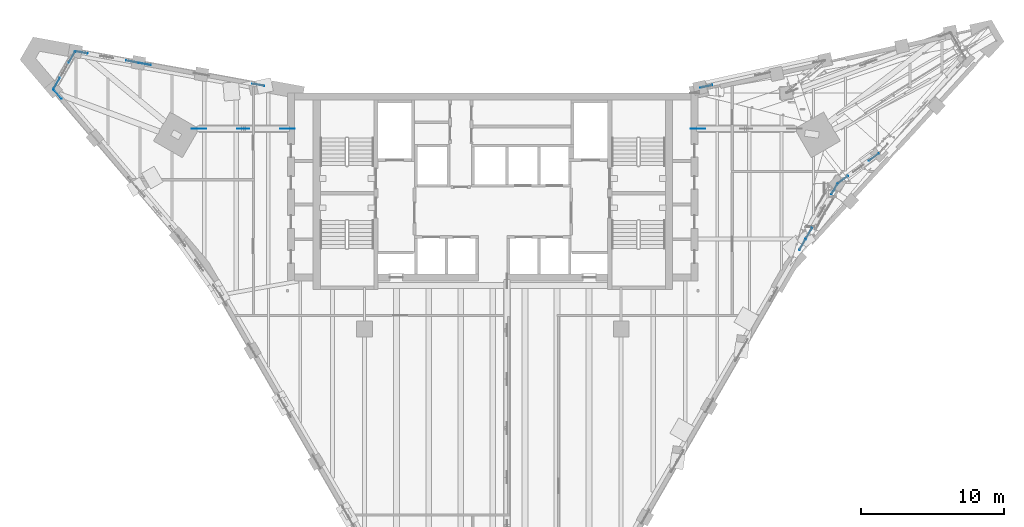
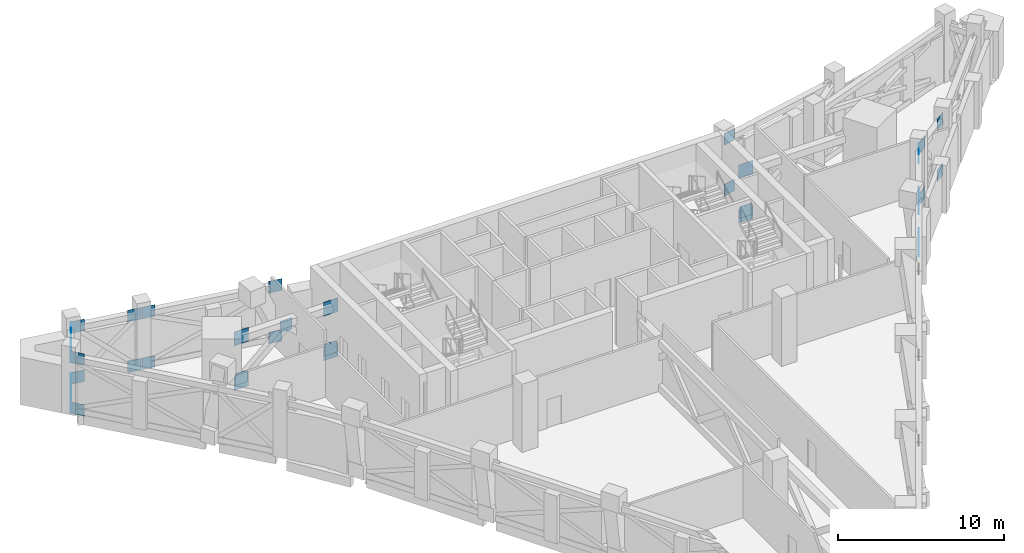
# One storey, part 15 of 23: 35 discrete accessories.
"""IFC4 building model written with IfcOpenShell, lengths in metres."""

from ifc_helpers import new_model, si_unit, direction, frame, origin, origin_2d, place, context, subcontext, project, spatial, rectangle, extrude, material, type_object, element, save


model = new_model("IFC4")

# Units and contexts
model_context = context("Model", 3, precision=1e-05, world=origin(), true_north=direction((0.0, 1.0)))
body_context = subcontext(model_context, "Body", "Model", "MODEL_VIEW")
ifc_project = project(units=[si_unit("LENGTHUNIT", "METRE"), si_unit("AREAUNIT", "SQUARE_METRE"), si_unit("VOLUMEUNIT", "CUBIC_METRE"), si_unit("PLANEANGLEUNIT", "RADIAN"), si_unit("MASSUNIT", "GRAM", prefix="KILO")], contexts=[model_context])

# Site, building, storey
site_placement = place(None, origin())
site = spatial("IfcSite", under=ifc_project, at=site_placement, CompositionType="ELEMENT")
building_placement = place(site_placement, origin())
building = spatial("IfcBuilding", under=site, at=building_placement, Name="Calabash Gate Tower", CompositionType="ELEMENT")
storey_placement = place(building_placement, frame((0.0, 0.0, 243.199951171875)))
storey = spatial("IfcBuildingStorey", under=building, at=storey_placement, Name="L58", CompositionType="ELEMENT", Elevation=243.199951171875)

# Discrete accessories
ifc_material = material(Name="Steel ASTM A572 Gr50", Category="steel")
discrete_accessory_type = type_object("IfcDiscreteAccessoryType", Name="Connection plate 25", PredefinedType="BRACKET", material=ifc_material)
for number, where, z_axis, x_axis, name in (
    (1, (21.715576171875, 8.4130859375, -0.2216796875), (0.0, 0.0, 1.0), (0.500000045345, 0.866025377604, 0.0), "Connection plate Belt chord L58 41 end"),
    (2, (21.715576171875, 8.4130859375, 3.50146484375), (0.0, 0.0, 1.0), (0.500000045345, 0.866025377604, 0.0), "Connection plate Belt chord L58 42 end"),
    (3, (22.176513671875, 9.211181640625, -0.2216796875), (0.0, 0.0, 1.0), (0.50000009069, 0.866025351425, 0.0), "Connection plate Belt chord L58 46 start"),
    (4, (23.965576171875, 12.31005859375, -0.2216796875), (0.0, 0.0, 1.0), (0.50000009069, 0.866025351425, 0.0), "Connection plate Belt chord L58 46 end"),
    (5, (23.965576171875, 12.31005859375, 3.50146484375), (0.0, 0.0, 1.0), (0.500043802615, 0.866000112856, 0.0), "Connection plate Belt chord L58 47 end"),
    (6, (24.5673828125, 12.9794921875, -0.2216796875), (0.0, 0.0, 1.0), (0.808482218213, 0.588520605276, 0.0), "Connection plate Belt chord L58 51 start"),
    (7, (26.73291015625, 14.555908203125, -0.2216796875), (0.0, 0.0, 1.0), (0.808482218213, 0.588520605276, 0.0), "Connection plate Belt chord L58 51 end"),
    (8, (24.5673828125, 12.9794921875, 3.50146484375), (0.0, 0.0, 1.0), (0.808482218213, 0.588520605276, 0.0), "Connection plate Belt chord L58 52 start"),
    (9, (26.73291015625, 14.555908203125, 3.50146484375), (0.0, 0.0, 1.0), (0.808482218213, 0.588520605276, 0.0), "Connection plate Belt chord L58 52 end"),
    (10, (14.983642578125, 19.516357421875, -0.2216796875), (0.0, 0.0, 1.0), (-0.976510974107, -0.215467671471, 0.0), "Connection plate Belt chord L58 76 end"),
    (11, (14.983642578125, 19.516357421875, 3.50146484375), (0.0, 0.0, 1.0), (-0.976510974107, -0.215467671471, 0.0), "Connection plate Belt chord L58 77 end"),
    (12, (-16.4560546875, 19.631591796875, -0.2216796875), (0.0, 0.0, 1.0), (-0.983669933215, 0.179981839331, 0.0), "Connection plate Belt chord L58 81 start"),
    (13, (-24.423828125, 21.089599609375, -0.2216796875), (0.0, 0.0, 1.0), (-0.983669933215, 0.179981839331, 0.0), "Connection plate Belt chord L58 81 end"),
    (14, (-16.4560546875, 19.631591796875, 3.50146484375), (0.0, 0.0, 1.0), (-0.983669933215, 0.179981839331, 0.0), "Connection plate Belt chord L58 82 start"),
    (15, (-24.423828125, 21.089599609375, 3.50146484375), (0.0, 0.0, 1.0), (-0.983669933215, 0.179981839331, 0.0), "Connection plate Belt chord L58 82 end"),
    (16, (-25.30908203125, 21.25146484375, -0.2216796875), (0.0, 0.0, 1.0), (-0.983669974051, 0.179981616143, 0.0), "Connection plate Belt chord L58 86 start"),
    (17, (-28.850341796875, 21.8994140625, -0.2216796875), (0.0, 0.0, 1.0), (-0.983669974051, 0.179981616143, 0.0), "Connection plate Belt chord L58 86 end"),
    (18, (-25.30908203125, 21.25146484375, 3.50146484375), (0.0, 0.0, 1.0), (-0.983669974051, 0.179981616143, 0.0), "Connection plate Belt chord L58 87 start"),
    (19, (-28.850341796875, 21.8994140625, 3.50146484375), (0.0, 0.0, 1.0), (-0.983669974051, 0.179981616143, 0.0), "Connection plate Belt chord L58 87 end"),
    (20, (-29.531982421875, 21.566650390625, -0.2216796875), (0.0, 0.0, 1.0), (-0.500000166265, -0.866025307791, 0.0), "Connection plate Belt chord L58 91 start"),
    (21, (-30.588623046875, 19.736328125, -0.2216796875), (0.0, 0.0, 1.0), (-0.500000166265, -0.866025307791, 0.0), "Connection plate Belt chord L58 91 end"),
    (22, (-29.531982421875, 21.566650390625, 3.50146484375), (0.0, 0.0, 1.0), (-0.500000166265, -0.866025307791, 0.0), "Connection plate Belt chord L58 92 start"),
    (23, (-30.588623046875, 19.736328125, 3.50146484375), (0.0, 0.0, 1.0), (-0.500000166265, -0.866025307791, 0.0), "Connection plate Belt chord L58 92 end"),
    (24, (-30.5361328125, 18.9794921875, -0.2216796875), (0.0, 0.0, 1.0), (0.647703811688, -0.761892231438, 0.0), "Connection plate Belt chord L58 96 start"),
    (25, (-30.5361328125, 18.9794921875, 3.50146484375), (0.0, 0.0, 1.0), (0.647687921001, -0.761905740226, 0.0), "Connection plate Belt chord L58 97 start"),
):
    element("IfcDiscreteAccessory", number, at=place(storey_placement, frame(where, z_axis=z_axis, x_axis=x_axis)), inside=storey, type_object=discrete_accessory_type, Name=name, PredefinedType="BRACKET", context=body_context, shape_type="SweptSolid", body=[
        extrude(rectangle(XDim=0.850341796875, YDim=0.02490234375, at=origin_2d()), origin(), (0.0, 0.0, 1.0), 0.850341796875),
    ])
for number, where, z_axis, x_axis, name in (
    (26, (14.39990234375, 16.547119140625, -0.252197265625), (0.0, 0.0, 1.0), (-1.0, 0.0, 0.0), "Connection plate Outrigger chord L58 NE end"),
    (27, (14.39990234375, 16.547119140625, 3.019775390625), (0.0, 0.0, 1.0), (-1.0, 0.0, 0.0), "Connection plate Outrigger chord L58 NE end"),
):
    element("IfcDiscreteAccessory", number, at=place(storey_placement, frame(where, z_axis=z_axis, x_axis=x_axis)), inside=storey, type_object=discrete_accessory_type, Name=name, PredefinedType="BRACKET", context=body_context, shape_type="SweptSolid", body=[
        extrude(rectangle(XDim=1.0126953125, YDim=0.02490234375, at=origin_2d()), origin(), (0.0, 0.0, 1.0), 1.0126953125),
    ])
discrete_accessory_placement = place(storey_placement, frame((14.39990234375, 16.547119140625, 0.0830078125), z_axis=(0.0, 0.0, 1.0), x_axis=(-1.0, 0.0, 0.0)))
element("IfcDiscreteAccessory", 28, at=discrete_accessory_placement, inside=storey, type_object=discrete_accessory_type, Name="Connection plate Outrigger diagonal L58 NE end", PredefinedType="BRACKET", context=body_context, shape_type="SweptSolid", body=[
    extrude(rectangle(XDim=0.850341796875, YDim=0.02490234375, at=origin_2d()), origin(), (0.0, 0.0, 1.0), 0.850341796875),
])
for number, where, z_axis, x_axis, name in (
    (29, (-20.60107421875, 16.547119140625, -0.252197265625), (0.0, 0.0, 1.0), (1.0, 0.0, 0.0), "Connection plate Outrigger chord L58 NW start"),
    (30, (-14.39990234375, 16.547119140625, -0.252197265625), (0.0, 0.0, 1.0), (1.0, 0.0, 0.0), "Connection plate Outrigger chord L58 NW end"),
    (31, (-20.60107421875, 16.547119140625, 3.019775390625), (0.0, 0.0, 1.0), (1.0, 0.0, 0.0), "Connection plate Outrigger chord L58 NW start"),
    (32, (-14.39990234375, 16.547119140625, 3.019775390625), (0.0, 0.0, 1.0), (1.0, 0.0, 0.0), "Connection plate Outrigger chord L58 NW end"),
):
    element("IfcDiscreteAccessory", number, at=place(storey_placement, frame(where, z_axis=z_axis, x_axis=x_axis)), inside=storey, type_object=discrete_accessory_type, Name=name, PredefinedType="BRACKET", context=body_context, shape_type="SweptSolid", body=[
        extrude(rectangle(XDim=1.0126953125, YDim=0.02490234375, at=origin_2d()), origin(), (0.0, 0.0, 1.0), 1.0126953125),
    ])
for number, where, z_axis, x_axis, name in (
    (33, (-20.60107421875, 16.547119140625, 0.0830078125), (0.0, 0.0, 1.0), (1.0, 0.0, 0.0), "Connection plate Outrigger diagonal L58 NW start"),
    (34, (-17.50048828125, 16.547119140625, 2.8466796875), (0.0, 0.0, 1.0), (1.0, 0.0, 0.0), "Connection plate Outrigger diagonal L58 NW end"),
    (35, (-14.39990234375, 16.547119140625, 0.0830078125), (0.0, 0.0, 1.0), (1.0, 0.0, 0.0), "Connection plate Outrigger diagonal L58 NW end"),
):
    element("IfcDiscreteAccessory", number, at=place(storey_placement, frame(where, z_axis=z_axis, x_axis=x_axis)), inside=storey, type_object=discrete_accessory_type, Name=name, PredefinedType="BRACKET", context=body_context, shape_type="SweptSolid", body=[
        extrude(rectangle(XDim=0.850341796875, YDim=0.02490234375, at=origin_2d()), origin(), (0.0, 0.0, 1.0), 0.850341796875),
    ])

save(model, "model.ifc")
